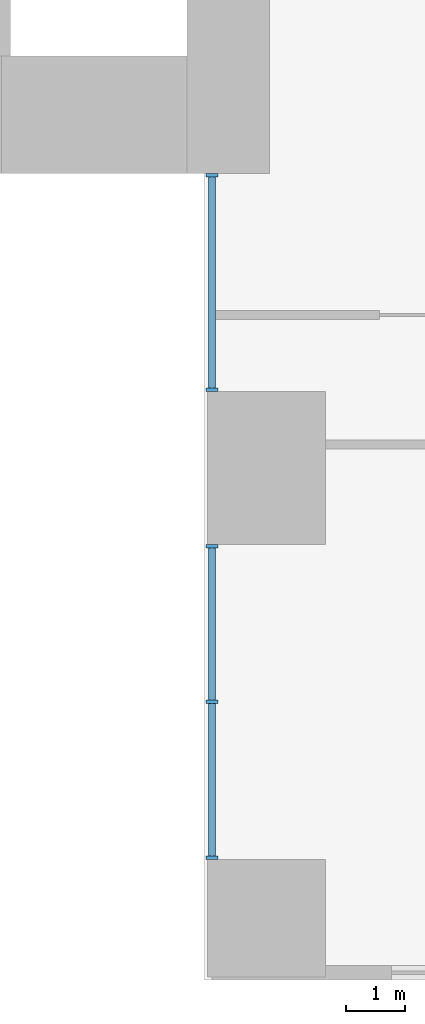
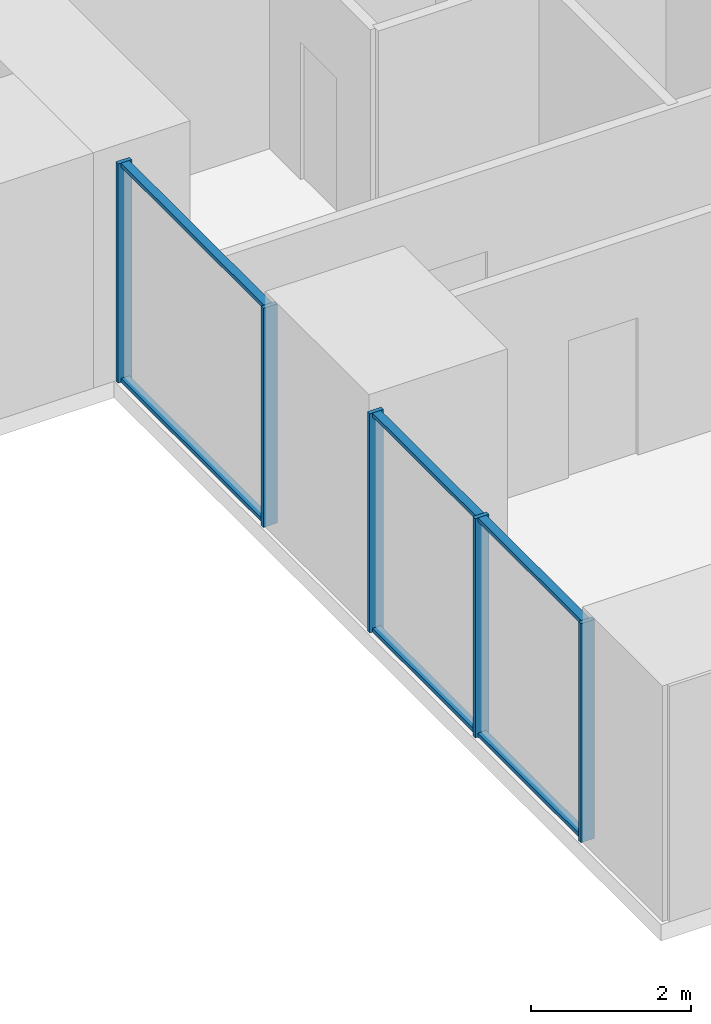
# One storey, part 3 of 20: 11 members, 2 elements without a shape of their own.
"""IFC4 building model written with IfcOpenShell, lengths in metres."""

from ifc_helpers import new_model, si_unit, direction, frame, origin, origin_2d, place, context, subcontext, project, spatial, rectangle, extrude, material, layer, layer_set, material_profile, profile_set, type_object, element, aggregate, save


model = new_model("IFC4")

# Units and contexts
model_context = context("Model", 3, precision=1e-05, world=origin(), true_north=direction((0.0, 1.0)))
body_context = subcontext(model_context, "Body", "Model", "MODEL_VIEW")
ifc_project = project(units=[si_unit("LENGTHUNIT", "METRE"), si_unit("AREAUNIT", "SQUARE_METRE"), si_unit("VOLUMEUNIT", "CUBIC_METRE"), si_unit("PLANEANGLEUNIT", "RADIAN"), si_unit("MASSUNIT", "GRAM", prefix="KILO")], contexts=[model_context])

# Site, building, storey
site_placement = place(None, origin())
site = spatial("IfcSite", under=ifc_project, at=site_placement, CompositionType="ELEMENT")
building_placement = place(site_placement, origin())
building = spatial("IfcBuilding", under=site, at=building_placement, Name="Cleftline Residences", CompositionType="ELEMENT")
storey_placement = place(building_placement, frame((0.0, 0.0, 135.800048828125)))
storey = spatial("IfcBuildingStorey", under=building, at=storey_placement, Name="L35", CompositionType="ELEMENT", Elevation=135.800048828125)

# Curtain wall, members
ifc_material_1 = material(Name="Aluminium framed curtain wall", Category="aluminium")
ifc_layer = layer(ifc_material_1, 0.199951171875)
ifc_layer_set = layer_set([ifc_layer], Name="CW1 CLEFT GLAZING")
curtain_wall_type = type_object("IfcCurtainWallType", Name="CW1 CLEFT GLAZING", PredefinedType="NOTDEFINED", material=ifc_layer_set)
curtain_wall_1_placement = place(storey_placement, origin())
curtain_wall_1 = element("IfcCurtainWall", 1, at=curtain_wall_1_placement, inside=storey, type_object=curtain_wall_type, Name="Curtain wall CW1", PredefinedType="NOTDEFINED")
ifc_material_2 = material(Name="Aluminium mullion", Category="aluminium")
ifc_material_profile_1 = material_profile(ifc_material_2, rectangle(XDim=0.199951171875, YDim=0.06005859375, at=origin_2d()))
ifc_profile_set_1 = profile_set([ifc_material_profile_1], Name="Aluminium mullion")
member_type_1 = type_object("IfcMemberType", Name="CW1 MULLION", PredefinedType="MULLION", material=ifc_profile_set_1)
member_1_placement = place(storey_placement, frame((41.425048828125, 12.969970703125, 0.0), z_axis=(0.0, 0.0, 1.0), x_axis=(1.0, 0.0, 0.0)))
member_1 = element("IfcMember", 2, at=member_1_placement, type_object=member_type_1, Name="CW1 mullion 1", PredefinedType="MULLION", context=body_context, shape_type="SweptSolid", body=[
    extrude(rectangle(XDim=0.199951171875, YDim=0.06005859375, at=origin_2d()), origin(), (0.0, 0.0, 1.0), 3.349853515625),
])
member_2_placement = place(storey_placement, frame((41.425048828125, 9.330078125, 0.0), z_axis=(0.0, 0.0, 1.0), x_axis=(1.0, 0.0, 0.0)))
member_2 = element("IfcMember", 3, at=member_2_placement, type_object=member_type_1, Name="CW1 mullion 2", PredefinedType="MULLION", context=body_context, shape_type="SweptSolid", body=[
    extrude(rectangle(XDim=0.199951171875, YDim=0.06005859375, at=origin_2d()), origin(), (0.0, 0.0, 1.0), 3.349853515625),
])

curtain_wall_2_placement = place(storey_placement, origin())
curtain_wall_2 = element("IfcCurtainWall", 4, at=curtain_wall_2_placement, inside=storey, type_object=curtain_wall_type, Name="Curtain wall CW1", PredefinedType="NOTDEFINED")
member_3_placement = place(storey_placement, frame((41.425048828125, 6.669921875, 0.0), z_axis=(0.0, 0.0, 1.0), x_axis=(1.0, 0.0, 0.0)))
member_3 = element("IfcMember", 5, at=member_3_placement, type_object=member_type_1, Name="CW1 mullion 1", PredefinedType="MULLION", context=body_context, shape_type="SweptSolid", body=[
    extrude(rectangle(XDim=0.199951171875, YDim=0.06005859375, at=origin_2d()), origin(), (0.0, 0.0, 1.0), 3.349853515625),
])
member_4_placement = place(storey_placement, frame((41.425048828125, 4.02490234375, 0.0), z_axis=(0.0, 0.0, 1.0), x_axis=(1.0, 0.0, 0.0)))
member_4 = element("IfcMember", 6, at=member_4_placement, type_object=member_type_1, Name="CW1 mullion 2", PredefinedType="MULLION", context=body_context, shape_type="SweptSolid", body=[
    extrude(rectangle(XDim=0.199951171875, YDim=0.06005859375, at=origin_2d()), origin(), (0.0, 0.0, 1.0), 3.349853515625),
])
member_5_placement = place(storey_placement, frame((41.425048828125, 1.3798828125, 0.0), z_axis=(0.0, 0.0, 1.0), x_axis=(1.0, 0.0, 0.0)))
member_5 = element("IfcMember", 7, at=member_5_placement, type_object=member_type_1, Name="CW1 mullion 3", PredefinedType="MULLION", context=body_context, shape_type="SweptSolid", body=[
    extrude(rectangle(XDim=0.199951171875, YDim=0.06005859375, at=origin_2d()), origin(), (0.0, 0.0, 1.0), 3.349853515625),
])

# Member
ifc_material_3 = material(Name="Aluminium transom", Category="aluminium")
ifc_material_profile_2 = material_profile(ifc_material_3, rectangle(XDim=0.1201171875, YDim=0.06005859375, at=origin_2d()))
ifc_profile_set_2 = profile_set([ifc_material_profile_2], Name="Aluminium transom")
member_type_2 = type_object("IfcMemberType", Name="CW1 TRANSOM", PredefinedType="USERDEFINED", material=ifc_profile_set_2)
member_6_placement = place(storey_placement, frame((41.425048828125, 12.93994140625, 0.030029296875), z_axis=(0.0, -1.0, 0.0), x_axis=(1.0, 0.0, 0.0)))
member_6 = element("IfcMember", 8, at=member_6_placement, type_object=member_type_2, Name="CW1 transom 1.1", ObjectType="TRANSOM", PredefinedType="USERDEFINED", context=body_context, shape_type="SweptSolid", body=[
    extrude(rectangle(XDim=0.1201171875, YDim=0.06005859375, at=origin_2d()), origin(), (0.0, 0.0, 1.0), 3.579833984375),
])

member_7_placement = place(storey_placement, frame((41.425048828125, 12.93994140625, 3.320068359375), z_axis=(0.0, -1.0, 0.0), x_axis=(1.0, 0.0, 0.0)))
member_7 = element("IfcMember", 9, at=member_7_placement, type_object=member_type_2, Name="CW1 transom 1.2", ObjectType="TRANSOM", PredefinedType="USERDEFINED", context=body_context, shape_type="SweptSolid", body=[
    extrude(rectangle(XDim=0.1201171875, YDim=0.06005859375, at=origin_2d()), origin(), (0.0, 0.0, 1.0), 3.579833984375),
])

aggregate(curtain_wall_1, [member_1, member_2, member_6, member_7])

member_8_placement = place(storey_placement, frame((41.425048828125, 6.639892578125, 0.030029296875), z_axis=(0.0, -1.0, 0.0), x_axis=(1.0, 0.0, 0.0)))
member_8 = element("IfcMember", 10, at=member_8_placement, type_object=member_type_2, Name="CW1 transom 1.1", ObjectType="TRANSOM", PredefinedType="USERDEFINED", context=body_context, shape_type="SweptSolid", body=[
    extrude(rectangle(XDim=0.1201171875, YDim=0.06005859375, at=origin_2d()), origin(), (0.0, 0.0, 1.0), 2.5849609375),
])

member_9_placement = place(storey_placement, frame((41.425048828125, 6.639892578125, 3.320068359375), z_axis=(0.0, -1.0, 0.0), x_axis=(1.0, 0.0, 0.0)))
member_9 = element("IfcMember", 11, at=member_9_placement, type_object=member_type_2, Name="CW1 transom 1.2", ObjectType="TRANSOM", PredefinedType="USERDEFINED", context=body_context, shape_type="SweptSolid", body=[
    extrude(rectangle(XDim=0.1201171875, YDim=0.06005859375, at=origin_2d()), origin(), (0.0, 0.0, 1.0), 2.5849609375),
])

member_10_placement = place(storey_placement, frame((41.425048828125, 3.9951171875, 0.030029296875), z_axis=(0.0, -1.0, 0.0), x_axis=(1.0, 0.0, 0.0)))
member_10 = element("IfcMember", 12, at=member_10_placement, type_object=member_type_2, Name="CW1 transom 2.1", ObjectType="TRANSOM", PredefinedType="USERDEFINED", context=body_context, shape_type="SweptSolid", body=[
    extrude(rectangle(XDim=0.1201171875, YDim=0.06005859375, at=origin_2d()), origin(), (0.0, 0.0, 1.0), 2.585205078125),
])

member_11_placement = place(storey_placement, frame((41.425048828125, 3.9951171875, 3.320068359375), z_axis=(0.0, -1.0, 0.0), x_axis=(1.0, 0.0, 0.0)))
member_11 = element("IfcMember", 13, at=member_11_placement, type_object=member_type_2, Name="CW1 transom 2.2", ObjectType="TRANSOM", PredefinedType="USERDEFINED", context=body_context, shape_type="SweptSolid", body=[
    extrude(rectangle(XDim=0.1201171875, YDim=0.06005859375, at=origin_2d()), origin(), (0.0, 0.0, 1.0), 2.585205078125),
])

aggregate(curtain_wall_2, [member_3, member_4, member_5, member_8, member_9, member_10, member_11])

save(model, "model.ifc")
